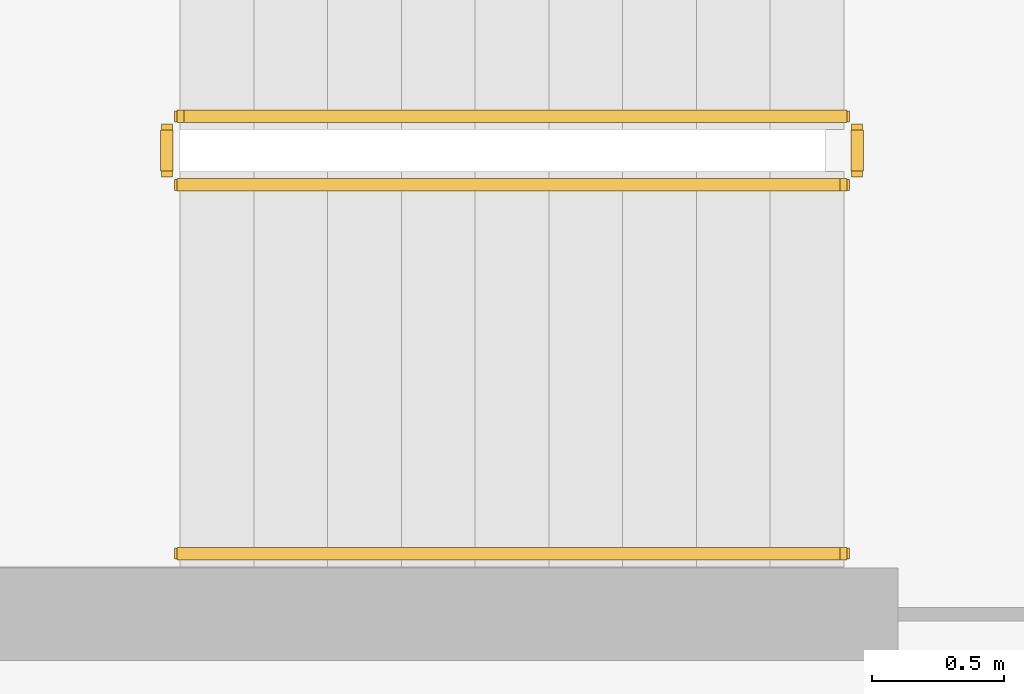
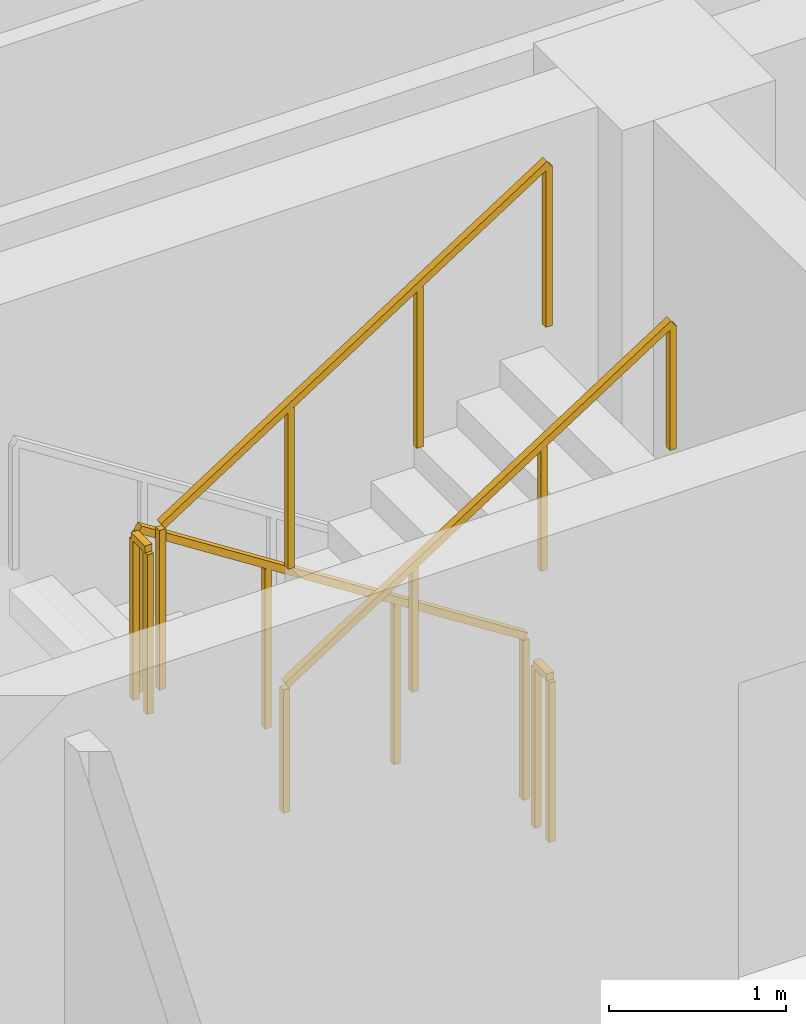
# One storey, part 11 of 13: 5 railings.
"""IFC4 building model written with IfcOpenShell, lengths in metres."""

import ifcopenshell
import ifcopenshell.guid

model = None  # the IFC model being written
_history = None  # IfcOwnerHistory: only IFC2X3 demands one
_inside = {}  # id of a spatial element -> (the spatial element, [elements in it])
_under = {}  # id of a project, library or spatial element -> (it, [spatial elements below it])
_declared = {}  # id of a project -> (the project, [libraries it declares])
_typed = {}  # id of a type object -> (the type object, [elements of that type])
_made_of = {}  # id of a material, layer set ... -> (it, [elements and type objects made of it])


def new_model(schema):
    """Start an empty IFC model of exactly this schema.

    Asked for "IFC4X3", IfcOpenShell would pick the latest addendum, in which some entities
    have other attributes; the version numbers below select the first issue.
    IFC2X3 requires an IfcOwnerHistory on every rooted entity: one is made here for all.
    """
    global model, _history
    if schema == "IFC4X3":
        model = ifcopenshell.file(schema_version=(4, 3, 0, 0))
    else:
        model = ifcopenshell.file(schema=schema)
    _inside.clear()
    _under.clear()
    _declared.clear()
    _typed.clear()
    _made_of.clear()
    _history = None
    if model.schema == "IFC2X3":
        org = make("IfcOrganization", Name="unknown")
        user = make(
            "IfcPersonAndOrganization",
            ThePerson=make("IfcPerson", FamilyName="unknown"),
            TheOrganization=org,
        )
        app = make(
            "IfcApplication",
            ApplicationDeveloper=org,
            Version="unknown",
            ApplicationFullName="unknown",
            ApplicationIdentifier="unknown",
        )
        _history = make(
            "IfcOwnerHistory",
            OwningUser=user,
            OwningApplication=app,
            ChangeAction="ADDED",
            CreationDate=0,
        )
    return model


def make(cls, **values):
    """One entity of the class cls with the attributes given. An attribute that is None is left unset."""
    return model.create_entity(
        cls, **{name: value for name, value in values.items() if value is not None}
    )


def rooted(cls, **values):
    """An entity with a GlobalId (a new one), such as an element, a storey or a relation."""
    return make(cls, GlobalId=ifcopenshell.guid.new(), OwnerHistory=_history, **values)


def si_unit(unit_type, name, prefix=None):
    """IfcSIUnit, for example si_unit("LENGTHUNIT", "METRE", prefix="MILLI")."""
    return make("IfcSIUnit", UnitType=unit_type, Prefix=prefix, Name=name)


def assignment(units):
    """IfcUnitAssignment: the units of a project."""
    return None if units is None else make("IfcUnitAssignment", Units=units)


def point(xyz):
    """IfcCartesianPoint."""
    return None if xyz is None else make("IfcCartesianPoint", Coordinates=xyz)


def direction(xyz):
    """IfcDirection."""
    return None if xyz is None else make("IfcDirection", DirectionRatios=xyz)


def frame(location, z_axis=None, x_axis=None):
    """IfcAxis2Placement3D, a coordinate frame: its origin and axes. An axis left out is left unset."""
    return make(
        "IfcAxis2Placement3D",
        Location=point(location),
        Axis=direction(z_axis),
        RefDirection=direction(x_axis),
    )


def frame_2d(location, x_axis=None):
    """IfcAxis2Placement2D, a coordinate frame in the plane: its origin and x axis."""
    return make(
        "IfcAxis2Placement2D", Location=point(location), RefDirection=direction(x_axis)
    )


def origin():
    """The frame at (0, 0, 0) with its axes left unset."""
    return frame((0.0, 0.0, 0.0))


def origin_2d():
    """The frame at (0, 0) in the plane with its x axis left unset."""
    return frame_2d((0.0, 0.0))


def place(relative_to, where):
    """IfcLocalPlacement: puts the frame where relative to a parent placement (None: the world)."""
    return make(
        "IfcLocalPlacement", PlacementRelTo=relative_to, RelativePlacement=where
    )


def context(
    kind, dimensions, precision=None, world=None, true_north=None, identifier=None
):
    """IfcGeometricRepresentationContext, for example the 3D "Model" context."""
    return make(
        "IfcGeometricRepresentationContext",
        ContextIdentifier=identifier,
        ContextType=kind,
        CoordinateSpaceDimension=dimensions,
        Precision=precision,
        WorldCoordinateSystem=world,
        TrueNorth=true_north,
    )


def subcontext(parent, identifier, kind, view, scale=None):
    """IfcGeometricRepresentationSubContext, for example "Body" below "Model"."""
    return make(
        "IfcGeometricRepresentationSubContext",
        ContextIdentifier=identifier,
        ContextType=kind,
        ParentContext=parent,
        TargetScale=scale,
        TargetView=view,
    )


def project(units=None, contexts=None):
    """IfcProject with its units and contexts."""
    return rooted(
        "IfcProject",
        Name="project",
        RepresentationContexts=contexts,
        UnitsInContext=assignment(units),
    )


def spatial(cls, under=None, at=None, **own):
    """A site, building, storey or space (cls), placed at a placement, below another one or the project."""
    s = rooted(cls, ObjectPlacement=at, **own)
    if under is not None:
        _under.setdefault(under.id(), (under, []))[1].append(s)
    return s


def profile(cls, at=None, kind="AREA", **sizes):
    """A parametric profile (cls). Its sizes go by their IFC names, for example OverallWidth=200.0."""
    return make(cls, ProfileType=kind, Position=at, **sizes)


def rectangle(**sizes):
    """IfcRectangleProfileDef."""
    return profile("IfcRectangleProfileDef", **sizes)


def extrude(swept, where, along, depth):
    """IfcExtrudedAreaSolid: the profile swept, set in the frame where, extruded along a direction by depth."""
    return make(
        "IfcExtrudedAreaSolid",
        SweptArea=swept,
        Position=where,
        ExtrudedDirection=direction(along),
        Depth=depth,
    )


def shape(context_of_items, identifier, shape_type, items):
    """IfcShapeRepresentation: the items that make up one representation, for example the "Body"."""
    return make(
        "IfcShapeRepresentation",
        ContextOfItems=context_of_items,
        RepresentationIdentifier=identifier,
        RepresentationType=shape_type,
        Items=items,
    )


def material(Name=None, Category=None):
    """IfcMaterial."""
    return make("IfcMaterial", Name=Name, Category=Category)


def made_of(thing, what):
    """Note that an element or type object is made of a material, layer set ...; save() writes the relation."""
    if what is not None:
        _made_of.setdefault(what.id(), (what, []))[1].append(thing)
    return thing


def type_object(cls, material=None, **own):
    """A type object (cls), such as IfcWallType, which elements share."""
    return made_of(rooted(cls, **own), material)


def element(
    cls,
    number,
    at=None,
    inside=None,
    cuts=None,
    type_object=None,
    material=None,
    context=None,
    identifier="Body",
    shape_type=None,
    held_by="IfcProductDefinitionShape",
    body=None,
    shapes=None,
    **own,
):
    """One element of the class cls, such as IfcWall. Its Tag is "e" and its number.

    at: its placement. inside: the storey or other place that contains it. cuts: it is an
    opening in that element (IfcRelVoidsElement). A single representation is given by context,
    identifier, shape_type and body (its items); several are given by shapes. held_by: the class
    of the entity that holds the representations. save() writes the other relations.
    """
    e = rooted(cls, Tag="e%d" % number, ObjectPlacement=at, **own)
    if body is not None:
        shapes = [shape(context, identifier, shape_type, body)]
    if shapes is not None:
        e.Representation = make(held_by, Representations=shapes)
    if inside is not None:
        _inside.setdefault(inside.id(), (inside, []))[1].append(e)
    if cuts is not None:
        rooted(
            "IfcRelVoidsElement", RelatingBuildingElement=cuts, RelatedOpeningElement=e
        )
    if type_object is not None:
        _typed.setdefault(type_object.id(), (type_object, []))[1].append(e)
    return made_of(e, material)


def aggregate(whole, parts):
    """IfcRelAggregates: a whole, such as a stair, and the parts it consists of."""
    return rooted("IfcRelAggregates", RelatingObject=whole, RelatedObjects=parts)


def save(model, path):
    """Write the relations noted so far, then the file.

    IfcRelAggregates (storeys below a building ...), IfcRelContainedInSpatialStructure (elements
    in a storey), IfcRelDefinesByType, IfcRelAssociatesMaterial and IfcRelDeclares: one each for
    every whole, place, type object, material and project.
    """
    for whole, parts in _under.values():
        aggregate(whole, parts)
    for where, things in _inside.values():
        rooted(
            "IfcRelContainedInSpatialStructure",
            RelatedElements=things,
            RelatingStructure=where,
        )
    for kind, things in _typed.values():
        rooted("IfcRelDefinesByType", RelatedObjects=things, RelatingType=kind)
    for what, things in _made_of.values():
        rooted("IfcRelAssociatesMaterial", RelatedObjects=things, RelatingMaterial=what)
    for by, libraries in _declared.values():
        rooted("IfcRelDeclares", RelatingContext=by, RelatedDefinitions=libraries)
    model.write(path)


model = new_model("IFC4")

# Units and contexts
model_context = context("Model", 3, precision=1e-05, world=origin(), true_north=direction((0.0, 1.0)))
body_context = subcontext(model_context, "Body", "Model", "MODEL_VIEW")
ifc_project = project(units=[si_unit("LENGTHUNIT", "METRE"), si_unit("AREAUNIT", "SQUARE_METRE"), si_unit("VOLUMEUNIT", "CUBIC_METRE"), si_unit("PLANEANGLEUNIT", "RADIAN"), si_unit("MASSUNIT", "GRAM", prefix="KILO")], contexts=[model_context])

# Site, building, storey
site_placement = place(None, origin())
site = spatial("IfcSite", under=ifc_project, at=site_placement, CompositionType="ELEMENT")
building_placement = place(site_placement, origin())
building = spatial("IfcBuilding", under=site, at=building_placement, Name="Zarnavel Station Tower", CompositionType="ELEMENT")
storey_placement = place(building_placement, frame((0.0, 0.0, 232.800048828125)))
storey = spatial("IfcBuildingStorey", under=building, at=storey_placement, Name="L63", CompositionType="ELEMENT", Elevation=232.800048828125)

# Railings
ifc_material_1 = material(Name="Painted Steel S355J2 Balustrade", Category="steel")
railing_type_1 = type_object("IfcRailingType", Name="GR_INT_1150", PredefinedType="GUARDRAIL", material=ifc_material_1)
railing_1_placement = place(storey_placement, frame((19.47998046875, 35.3701171875, 0.179931640625)))
element("IfcRailing", 1, at=railing_1_placement, inside=storey, type_object=railing_type_1, Name="L63 ST1 stair guard 1", PredefinedType="GUARDRAIL", context=body_context, shape_type="SweptSolid", body=[
    extrude(rectangle(XDim=0.048095703125, YDim=0.048095703125, at=origin_2d()), frame((-0.001708984375, 0.0, 1.126953125), z_axis=(-0.841162588446, 0.0, 0.540782303519), x_axis=(0.0, -1.0, 0.0)), (0.0, 0.0, 1.0), 2.991943359375),
    extrude(rectangle(XDim=0.0419921875, YDim=0.0419921875, at=origin_2d()), origin(), (0.0, 0.0, 1.0), 1.101806640625),
    extrude(rectangle(XDim=0.0419921875, YDim=0.0419921875, at=origin_2d()), frame((-0.840087890625, 0.0, 0.5400390625)), (0.0, 0.0, 1.0), 1.101806640625),
    extrude(rectangle(XDim=0.0419921875, YDim=0.0419921875, at=origin_2d()), frame((-1.679931640625, 0.0, 1.080078125)), (0.0, 0.0, 1.0), 1.101806640625),
    extrude(rectangle(XDim=0.0419921875, YDim=0.0419921875, at=origin_2d()), frame((-2.52001953125, 0.0, 1.6201171875)), (0.0, 0.0, 1.0), 1.101806640625),
])
railing_2_placement = place(storey_placement, frame((16.909912109375, 35.320068359375, 1.800048828125)))
element("IfcRailing", 2, at=railing_2_placement, inside=storey, type_object=railing_type_1, Name="L63 ST1 stair guard 2", PredefinedType="GUARDRAIL", context=body_context, shape_type="SweptSolid", body=[
    extrude(rectangle(XDim=0.048095703125, YDim=0.048095703125, at=origin_2d()), frame((0.0, -0.001953125, 1.1259765625), z_axis=(0.0, -1.0, 0.0), x_axis=(1.0, 0.0, 0.0)), (0.0, 0.0, 1.0), 0.15625),
    extrude(rectangle(XDim=0.0419921875, YDim=0.0419921875, at=origin_2d()), origin(), (0.0, 0.0, 1.0), 1.101806640625),
    extrude(rectangle(XDim=0.0419921875, YDim=0.0419921875, at=origin_2d()), frame((0.0, -0.16015625, 0.0)), (0.0, 0.0, 1.0), 1.101806640625),
])
railing_3_placement = place(storey_placement, frame((16.9599609375, 35.110107421875, 1.97998046875)))
element("IfcRailing", 3, at=railing_3_placement, inside=storey, type_object=railing_type_1, Name="L63 ST1 stair guard 3", PredefinedType="GUARDRAIL", context=body_context, shape_type="SweptSolid", body=[
    extrude(rectangle(XDim=0.048095703125, YDim=0.048095703125, at=origin_2d()), frame((0.001708984375, 0.0, 1.126953125), z_axis=(0.841199657755, 0.0, 0.540724639528), x_axis=(0.0, 1.0, 0.0)), (0.0, 0.0, 1.0), 2.99169921875),
    extrude(rectangle(XDim=0.0419921875, YDim=0.0419921875, at=origin_2d()), origin(), (0.0, 0.0, 1.0), 1.101806640625),
    extrude(rectangle(XDim=0.0419921875, YDim=0.0419921875, at=origin_2d()), frame((0.840087890625, 0.0, 0.5400390625)), (0.0, 0.0, 1.0), 1.101806640625),
    extrude(rectangle(XDim=0.0419921875, YDim=0.0419921875, at=origin_2d()), frame((1.679931640625, 0.0, 1.079833984375)), (0.0, 0.0, 1.0), 1.101806640625),
    extrude(rectangle(XDim=0.0419921875, YDim=0.0419921875, at=origin_2d()), frame((2.52001953125, 0.0, 1.619873046875)), (0.0, 0.0, 1.0), 1.101806640625),
])
railing_4_placement = place(storey_placement, frame((19.530029296875, 35.320068359375, 0.0)))
element("IfcRailing", 4, at=railing_4_placement, inside=storey, type_object=railing_type_1, Name="L63 ST1 stair guard 4", PredefinedType="GUARDRAIL", context=body_context, shape_type="SweptSolid", body=[
    extrude(rectangle(XDim=0.048095703125, YDim=0.048095703125, at=origin_2d()), frame((0.0, -0.001953125, 1.1259765625), z_axis=(0.0, -1.0, 0.0), x_axis=(1.0, 0.0, 0.0)), (0.0, 0.0, 1.0), 0.15625),
    extrude(rectangle(XDim=0.0419921875, YDim=0.0419921875, at=origin_2d()), origin(), (0.0, 0.0, 1.0), 1.101806640625),
    extrude(rectangle(XDim=0.0419921875, YDim=0.0419921875, at=origin_2d()), frame((0.0, -0.16015625, 0.0)), (0.0, 0.0, 1.0), 1.101806640625),
])
ifc_material_2 = material(Name="Brushed Stainless Steel S355J2 Handrail", Category="steel")
railing_type_2 = type_object("IfcRailingType", Name="HR_STAIR_900", PredefinedType="HANDRAIL", material=ifc_material_2)
railing_5_placement = place(storey_placement, frame((16.9599609375, 33.7099609375, 1.97998046875)))
element("IfcRailing", 5, at=railing_5_placement, inside=storey, type_object=railing_type_2, Name="L63 ST1 stair handrail 2", PredefinedType="HANDRAIL", context=body_context, shape_type="SweptSolid", body=[
    extrude(rectangle(XDim=0.048095703125, YDim=0.048095703125, at=origin_2d()), frame((0.001708984375, 0.0, 0.876953125), z_axis=(0.841199657755, 0.0, 0.540724639528), x_axis=(0.0, 1.0, 0.0)), (0.0, 0.0, 1.0), 2.99169921875),
    extrude(rectangle(XDim=0.0419921875, YDim=0.0419921875, at=origin_2d()), origin(), (0.0, 0.0, 1.0), 0.851806640625),
    extrude(rectangle(XDim=0.0419921875, YDim=0.0419921875, at=origin_2d()), frame((0.840087890625, 0.0, 0.5400390625)), (0.0, 0.0, 1.0), 0.851806640625),
    extrude(rectangle(XDim=0.0419921875, YDim=0.0419921875, at=origin_2d()), frame((1.679931640625, 0.0, 1.079833984375)), (0.0, 0.0, 1.0), 0.851806640625),
    extrude(rectangle(XDim=0.0419921875, YDim=0.0419921875, at=origin_2d()), frame((2.52001953125, 0.0, 1.619873046875)), (0.0, 0.0, 1.0), 0.851806640625),
])

save(model, "model.ifc")
